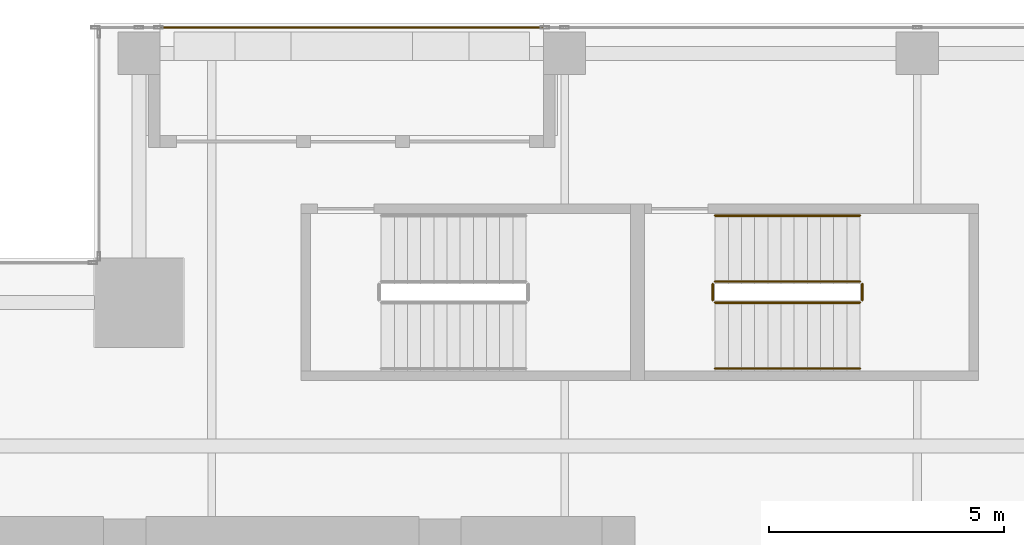
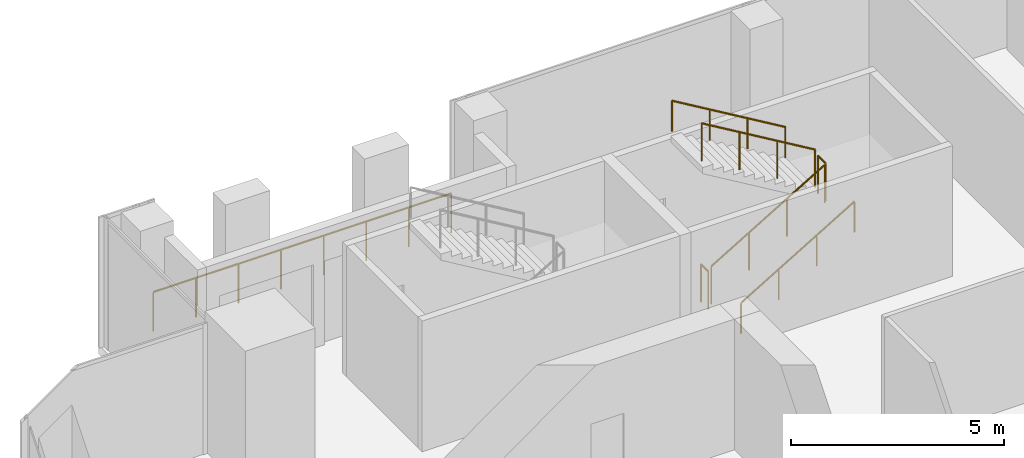
# One storey, part 35 of 36: 7 railings.
"""IFC4 building model written with IfcOpenShell, lengths in metres."""

from ifc_helpers import new_model, si_unit, direction, frame, origin, origin_2d, place, context, subcontext, project, spatial, circle, extrude, source, transform, mapped, material, type_object, element, save


model = new_model("IFC4")

# Units and contexts
model_context = context("Model", 3, precision=1e-05, world=origin(), true_north=direction((0.0, 1.0)))
body_context = subcontext(model_context, "Body", "Model", "MODEL_VIEW")
ifc_project = project(units=[si_unit("LENGTHUNIT", "METRE"), si_unit("AREAUNIT", "SQUARE_METRE"), si_unit("VOLUMEUNIT", "CUBIC_METRE"), si_unit("PLANEANGLEUNIT", "RADIAN"), si_unit("MASSUNIT", "GRAM", prefix="KILO")], contexts=[model_context])

# Site, building, storey
site_placement = place(None, origin())
site = spatial("IfcSite", under=ifc_project, at=site_placement, CompositionType="ELEMENT")
building_placement = place(site_placement, origin())
building = spatial("IfcBuilding", under=site, at=building_placement, Name="Khomas Fold Tower", CompositionType="ELEMENT")
storey_placement = place(building_placement, frame((0.0, 0.0, 230.199951171875)))
storey = spatial("IfcBuildingStorey", under=building, at=storey_placement, Name="L51", CompositionType="ELEMENT", Elevation=230.199951171875)

# Railings
ifc_material_1 = material(Name="Powder-coated steel", Category="steel")
railing_type_1 = type_object("IfcRailingType", Name="Balcony guard", PredefinedType="GUARDRAIL", material=ifc_material_1)
shared_shape_1 = source(origin(), body_context, "Body", "SweptSolid", [
    extrude(circle(Radius=0.02490234375, at=origin_2d()), frame((0.0, 0.0, 1.125), z_axis=(1.0, 0.0, 0.0), x_axis=(0.0, 1.0, 0.0)), (0.0, 0.0, 1.0), 8.090087890625),
    extrude(circle(Radius=0.02001953125, at=origin_2d()), origin(), (0.0, 0.0, 1.0), 1.099853515625),
    extrude(circle(Radius=0.02001953125, at=origin_2d()), frame((1.15576171875, 0.0, 0.0)), (0.0, 0.0, 1.0), 1.099853515625),
    extrude(circle(Radius=0.02001953125, at=origin_2d()), frame((2.3115234375, 0.0, 0.0)), (0.0, 0.0, 1.0), 1.099853515625),
    extrude(circle(Radius=0.02001953125, at=origin_2d()), frame((3.46728515625, 0.0, 0.0)), (0.0, 0.0, 1.0), 1.099853515625),
    extrude(circle(Radius=0.02001953125, at=origin_2d()), frame((4.622802734375, 0.0, 0.0)), (0.0, 0.0, 1.0), 1.099853515625),
    extrude(circle(Radius=0.02001953125, at=origin_2d()), frame((5.778564453125, 0.0, 0.0)), (0.0, 0.0, 1.0), 1.099853515625),
    extrude(circle(Radius=0.02001953125, at=origin_2d()), frame((6.934326171875, 0.0, 0.0)), (0.0, 0.0, 1.0), 1.099853515625),
    extrude(circle(Radius=0.02001953125, at=origin_2d()), frame((8.090087890625, 0.0, 0.0)), (0.0, 0.0, 1.0), 1.099853515625),
])
railing_1_placement = place(storey_placement, frame((10.929931640625, 49.39990234375, -0.044921875)))
element("IfcRailing", 1, at=railing_1_placement, inside=storey, type_object=railing_type_1, Name="Balcony guard BAL-L51-N1", PredefinedType="GUARDRAIL", context=body_context, shape_type="MappedRepresentation", body=[
    mapped(shared_shape_1, transform((0.0, 0.0, 0.0))),
])
ifc_material_2 = material(Name="Steel balustrade", Category="steel")
railing_type_2 = type_object("IfcRailingType", Name="Stair guard", PredefinedType="GUARDRAIL", material=ifc_material_2)
shared_shape_2 = source(origin(), body_context, "Body", "SweptSolid", [
    extrude(circle(Radius=0.02392578125, at=origin_2d()), frame((0.0, 0.0, 1.076171875), z_axis=(0.0, 1.0, 0.0), x_axis=(-1.0, 0.0, 0.0)), (0.0, 0.0, 1.0), 0.349853515625),
    extrude(circle(Radius=0.02099609375, at=origin_2d()), origin(), (0.0, 0.0, 1.0), 1.052001953125),
    extrude(circle(Radius=0.02099609375, at=origin_2d()), frame((0.0, 0.349853515625, 0.0)), (0.0, 0.0, 1.0), 1.052001953125),
])
for number, where, name in (
    (2, (25.830078125, 43.60009765625, 2.0), "L51 ST3 stair guard 2"),
    (3, (22.64990234375, 43.60009765625, 0.0), "L51 ST3 stair guard 4"),
):
    element("IfcRailing", number, at=place(storey_placement, frame(where)), inside=storey, type_object=railing_type_2, Name=name, PredefinedType="GUARDRAIL", context=body_context, shape_type="MappedRepresentation", body=[
        mapped(shared_shape_2, transform((0.0, 0.0, 0.0))),
    ])
shared_shape_3 = source(origin(), body_context, "Body", "SweptSolid", [
    extrude(circle(Radius=0.02392578125, at=origin_2d()), frame((0.0, 0.0, 1.076171875), z_axis=(0.859308565015, 0.0, 0.511457515432), x_axis=(0.0, 1.0, 0.0)), (0.0, 0.0, 1.0), 3.58447265625),
    extrude(circle(Radius=0.02099609375, at=origin_2d()), origin(), (0.0, 0.0, 1.0), 1.052001953125),
    extrude(circle(Radius=0.02099609375, at=origin_2d()), frame((1.026611328125, 0.0, 0.611083984375)), (0.0, 0.0, 1.0), 1.052001953125),
    extrude(circle(Radius=0.02099609375, at=origin_2d()), frame((2.053466796875, 0.0, 1.22216796875)), (0.0, 0.0, 1.0), 1.052001953125),
    extrude(circle(Radius=0.02099609375, at=origin_2d()), frame((3.080078125, 0.0, 1.833251953125)), (0.0, 0.0, 1.0), 1.052001953125),
])
railing_2_placement = place(storey_placement, frame((22.699951171875, 43.550048828125, 0.166748046875)))
element("IfcRailing", 4, at=railing_2_placement, inside=storey, type_object=railing_type_2, Name="L51 ST3 stair guard 1", PredefinedType="GUARDRAIL", context=body_context, shape_type="MappedRepresentation", body=[
    mapped(shared_shape_3, transform((0.0, 0.0, 0.0))),
])
shared_shape_4 = source(origin(), body_context, "Body", "SweptSolid", [
    extrude(circle(Radius=0.02392578125, at=origin_2d()), frame((0.0, 0.0, 1.076171875), z_axis=(-0.859308565015, 0.0, 0.511457515432), x_axis=(0.0, -1.0, 0.0)), (0.0, 0.0, 1.0), 3.58447265625),
    extrude(circle(Radius=0.02099609375, at=origin_2d()), origin(), (0.0, 0.0, 1.0), 1.052001953125),
    extrude(circle(Radius=0.02099609375, at=origin_2d()), frame((-1.026611328125, 0.0, 0.611083984375)), (0.0, 0.0, 1.0), 1.052001953125),
    extrude(circle(Radius=0.02099609375, at=origin_2d()), frame((-2.053466796875, 0.0, 1.22216796875)), (0.0, 0.0, 1.0), 1.052001953125),
    extrude(circle(Radius=0.02099609375, at=origin_2d()), frame((-3.080078125, 0.0, 1.833251953125)), (0.0, 0.0, 1.0), 1.052001953125),
])
railing_3_placement = place(storey_placement, frame((25.780029296875, 44.0, 2.166748046875)))
element("IfcRailing", 5, at=railing_3_placement, inside=storey, type_object=railing_type_2, Name="L51 ST3 stair guard 3", PredefinedType="GUARDRAIL", context=body_context, shape_type="MappedRepresentation", body=[
    mapped(shared_shape_4, transform((0.0, 0.0, 0.0))),
])
ifc_material_3 = material(Name="Steel handrail", Category="steel")
railing_type_3 = type_object("IfcRailingType", Name="Stair handrail", PredefinedType="HANDRAIL", material=ifc_material_3)
shared_shape_5 = source(origin(), body_context, "Body", "SweptSolid", [
    extrude(circle(Radius=0.02392578125, at=origin_2d()), frame((0.0, 0.0, 0.8759765625), z_axis=(0.859308565015, 0.0, 0.511457515432), x_axis=(0.0, 1.0, 0.0)), (0.0, 0.0, 1.0), 3.58447265625),
    extrude(circle(Radius=0.02099609375, at=origin_2d()), origin(), (0.0, 0.0, 1.0), 0.851806640625),
    extrude(circle(Radius=0.02099609375, at=origin_2d()), frame((1.026611328125, 0.0, 0.611083984375)), (0.0, 0.0, 1.0), 0.851806640625),
    extrude(circle(Radius=0.02099609375, at=origin_2d()), frame((2.053466796875, 0.0, 1.22216796875)), (0.0, 0.0, 1.0), 0.851806640625),
    extrude(circle(Radius=0.02099609375, at=origin_2d()), frame((3.080078125, 0.0, 1.833251953125)), (0.0, 0.0, 1.0), 0.851806640625),
])
railing_4_placement = place(storey_placement, frame((22.699951171875, 42.14990234375, 0.166748046875)))
element("IfcRailing", 6, at=railing_4_placement, inside=storey, type_object=railing_type_3, Name="L51 ST3 stair handrail 1", PredefinedType="HANDRAIL", context=body_context, shape_type="MappedRepresentation", body=[
    mapped(shared_shape_5, transform((0.0, 0.0, 0.0))),
])
shared_shape_6 = source(origin(), body_context, "Body", "SweptSolid", [
    extrude(circle(Radius=0.02392578125, at=origin_2d()), frame((0.0, 0.0, 0.8759765625), z_axis=(-0.859308565015, 0.0, 0.511457515432), x_axis=(0.0, -1.0, 0.0)), (0.0, 0.0, 1.0), 3.58447265625),
    extrude(circle(Radius=0.02099609375, at=origin_2d()), origin(), (0.0, 0.0, 1.0), 0.851806640625),
    extrude(circle(Radius=0.02099609375, at=origin_2d()), frame((-1.026611328125, 0.0, 0.611083984375)), (0.0, 0.0, 1.0), 0.851806640625),
    extrude(circle(Radius=0.02099609375, at=origin_2d()), frame((-2.053466796875, 0.0, 1.22216796875)), (0.0, 0.0, 1.0), 0.851806640625),
    extrude(circle(Radius=0.02099609375, at=origin_2d()), frame((-3.080078125, 0.0, 1.833251953125)), (0.0, 0.0, 1.0), 0.851806640625),
])
railing_5_placement = place(storey_placement, frame((25.780029296875, 45.39990234375, 2.166748046875)))
element("IfcRailing", 7, at=railing_5_placement, inside=storey, type_object=railing_type_3, Name="L51 ST3 stair handrail 2", PredefinedType="HANDRAIL", context=body_context, shape_type="MappedRepresentation", body=[
    mapped(shared_shape_6, transform((0.0, 0.0, 0.0))),
])

save(model, "model.ifc")
